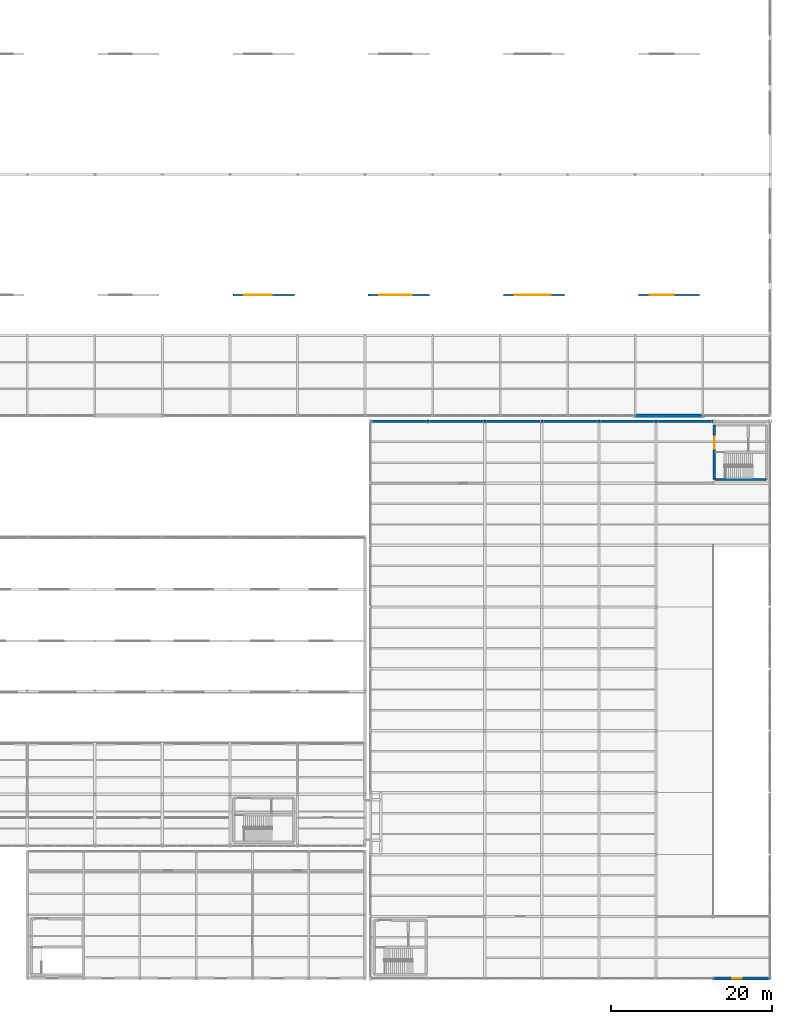
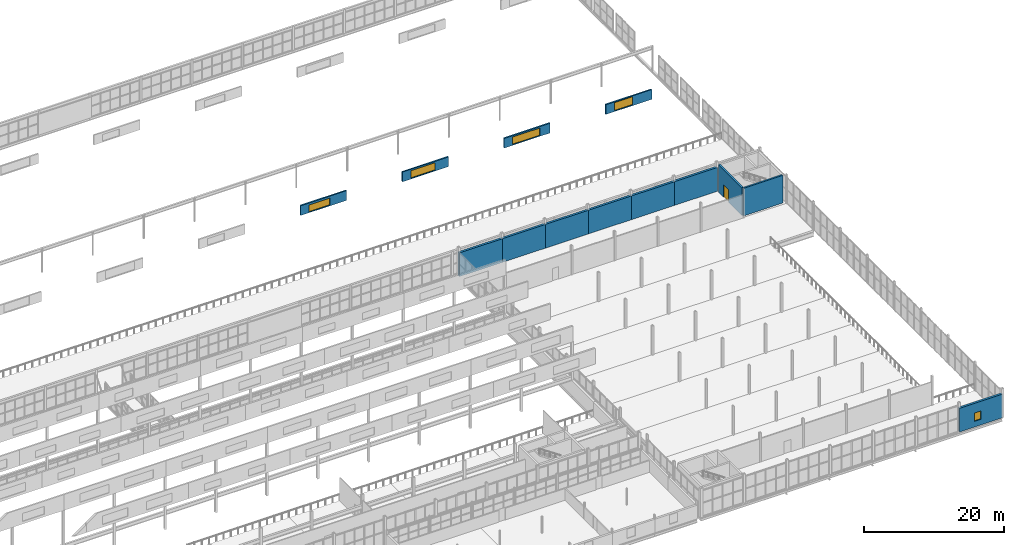
# One storey, part 207 of 218: 14 walls, 5 windows, 1 door, 6 openings.
"""IFC4 building model written with IfcOpenShell, lengths in metres."""

import ifcopenshell
import ifcopenshell.guid

model = None  # the IFC model being written
_history = None  # IfcOwnerHistory: only IFC2X3 demands one
_inside = {}  # id of a spatial element -> (the spatial element, [elements in it])
_under = {}  # id of a project, library or spatial element -> (it, [spatial elements below it])
_declared = {}  # id of a project -> (the project, [libraries it declares])
_typed = {}  # id of a type object -> (the type object, [elements of that type])
_made_of = {}  # id of a material, layer set ... -> (it, [elements and type objects made of it])


def new_model(schema):
    """Start an empty IFC model of exactly this schema.

    Asked for "IFC4X3", IfcOpenShell would pick the latest addendum, in which some entities
    have other attributes; the version numbers below select the first issue.
    IFC2X3 requires an IfcOwnerHistory on every rooted entity: one is made here for all.
    """
    global model, _history
    if schema == "IFC4X3":
        model = ifcopenshell.file(schema_version=(4, 3, 0, 0))
    else:
        model = ifcopenshell.file(schema=schema)
    _inside.clear()
    _under.clear()
    _declared.clear()
    _typed.clear()
    _made_of.clear()
    _history = None
    if model.schema == "IFC2X3":
        org = make("IfcOrganization", Name="unknown")
        user = make(
            "IfcPersonAndOrganization",
            ThePerson=make("IfcPerson", FamilyName="unknown"),
            TheOrganization=org,
        )
        app = make(
            "IfcApplication",
            ApplicationDeveloper=org,
            Version="unknown",
            ApplicationFullName="unknown",
            ApplicationIdentifier="unknown",
        )
        _history = make(
            "IfcOwnerHistory",
            OwningUser=user,
            OwningApplication=app,
            ChangeAction="ADDED",
            CreationDate=0,
        )
    return model


def make(cls, **values):
    """One entity of the class cls with the attributes given. An attribute that is None is left unset."""
    return model.create_entity(
        cls, **{name: value for name, value in values.items() if value is not None}
    )


def rooted(cls, **values):
    """An entity with a GlobalId (a new one), such as an element, a storey or a relation."""
    return make(cls, GlobalId=ifcopenshell.guid.new(), OwnerHistory=_history, **values)


def si_unit(unit_type, name, prefix=None):
    """IfcSIUnit, for example si_unit("LENGTHUNIT", "METRE", prefix="MILLI")."""
    return make("IfcSIUnit", UnitType=unit_type, Prefix=prefix, Name=name)


def assignment(units):
    """IfcUnitAssignment: the units of a project."""
    return None if units is None else make("IfcUnitAssignment", Units=units)


def point(xyz):
    """IfcCartesianPoint."""
    return None if xyz is None else make("IfcCartesianPoint", Coordinates=xyz)


def direction(xyz):
    """IfcDirection."""
    return None if xyz is None else make("IfcDirection", DirectionRatios=xyz)


def frame(location, z_axis=None, x_axis=None):
    """IfcAxis2Placement3D, a coordinate frame: its origin and axes. An axis left out is left unset."""
    return make(
        "IfcAxis2Placement3D",
        Location=point(location),
        Axis=direction(z_axis),
        RefDirection=direction(x_axis),
    )


def frame_2d(location, x_axis=None):
    """IfcAxis2Placement2D, a coordinate frame in the plane: its origin and x axis."""
    return make(
        "IfcAxis2Placement2D", Location=point(location), RefDirection=direction(x_axis)
    )


def origin():
    """The frame at (0, 0, 0) with its axes left unset."""
    return frame((0.0, 0.0, 0.0))


def place(relative_to, where):
    """IfcLocalPlacement: puts the frame where relative to a parent placement (None: the world)."""
    return make(
        "IfcLocalPlacement", PlacementRelTo=relative_to, RelativePlacement=where
    )


def context(
    kind, dimensions, precision=None, world=None, true_north=None, identifier=None
):
    """IfcGeometricRepresentationContext, for example the 3D "Model" context."""
    return make(
        "IfcGeometricRepresentationContext",
        ContextIdentifier=identifier,
        ContextType=kind,
        CoordinateSpaceDimension=dimensions,
        Precision=precision,
        WorldCoordinateSystem=world,
        TrueNorth=true_north,
    )


def subcontext(parent, identifier, kind, view, scale=None):
    """IfcGeometricRepresentationSubContext, for example "Body" below "Model"."""
    return make(
        "IfcGeometricRepresentationSubContext",
        ContextIdentifier=identifier,
        ContextType=kind,
        ParentContext=parent,
        TargetScale=scale,
        TargetView=view,
    )


def project(units=None, contexts=None):
    """IfcProject with its units and contexts."""
    return rooted(
        "IfcProject",
        Name="project",
        RepresentationContexts=contexts,
        UnitsInContext=assignment(units),
    )


def spatial(cls, under=None, at=None, **own):
    """A site, building, storey or space (cls), placed at a placement, below another one or the project."""
    s = rooted(cls, ObjectPlacement=at, **own)
    if under is not None:
        _under.setdefault(under.id(), (under, []))[1].append(s)
    return s


def profile(cls, at=None, kind="AREA", **sizes):
    """A parametric profile (cls). Its sizes go by their IFC names, for example OverallWidth=200.0."""
    return make(cls, ProfileType=kind, Position=at, **sizes)


def rectangle(**sizes):
    """IfcRectangleProfileDef."""
    return profile("IfcRectangleProfileDef", **sizes)


def extrude(swept, where, along, depth):
    """IfcExtrudedAreaSolid: the profile swept, set in the frame where, extruded along a direction by depth."""
    return make(
        "IfcExtrudedAreaSolid",
        SweptArea=swept,
        Position=where,
        ExtrudedDirection=direction(along),
        Depth=depth,
    )


def shape(context_of_items, identifier, shape_type, items):
    """IfcShapeRepresentation: the items that make up one representation, for example the "Body"."""
    return make(
        "IfcShapeRepresentation",
        ContextOfItems=context_of_items,
        RepresentationIdentifier=identifier,
        RepresentationType=shape_type,
        Items=items,
    )


def material(Name=None, Category=None):
    """IfcMaterial."""
    return make("IfcMaterial", Name=Name, Category=Category)


def layer(
    of_material, thickness, ventilated=None, Name=None, Category=None, Priority=None
):
    """IfcMaterialLayer: one layer of a wall or slab, of a material (None: an air gap)."""
    return make(
        "IfcMaterialLayer",
        Material=of_material,
        LayerThickness=thickness,
        IsVentilated=ventilated,
        Name=Name,
        Category=Category,
        Priority=Priority,
    )


def layer_set(layers, Name=None):
    """IfcMaterialLayerSet."""
    return make("IfcMaterialLayerSet", MaterialLayers=layers, LayerSetName=Name)


def made_of(thing, what):
    """Note that an element or type object is made of a material, layer set ...; save() writes the relation."""
    if what is not None:
        _made_of.setdefault(what.id(), (what, []))[1].append(thing)
    return thing


def type_object(cls, material=None, **own):
    """A type object (cls), such as IfcWallType, which elements share."""
    return made_of(rooted(cls, **own), material)


def element(
    cls,
    number,
    at=None,
    inside=None,
    cuts=None,
    type_object=None,
    material=None,
    context=None,
    identifier="Body",
    shape_type=None,
    held_by="IfcProductDefinitionShape",
    body=None,
    shapes=None,
    **own,
):
    """One element of the class cls, such as IfcWall. Its Tag is "e" and its number.

    at: its placement. inside: the storey or other place that contains it. cuts: it is an
    opening in that element (IfcRelVoidsElement). A single representation is given by context,
    identifier, shape_type and body (its items); several are given by shapes. held_by: the class
    of the entity that holds the representations. save() writes the other relations.
    """
    e = rooted(cls, Tag="e%d" % number, ObjectPlacement=at, **own)
    if body is not None:
        shapes = [shape(context, identifier, shape_type, body)]
    if shapes is not None:
        e.Representation = make(held_by, Representations=shapes)
    if inside is not None:
        _inside.setdefault(inside.id(), (inside, []))[1].append(e)
    if cuts is not None:
        rooted(
            "IfcRelVoidsElement", RelatingBuildingElement=cuts, RelatedOpeningElement=e
        )
    if type_object is not None:
        _typed.setdefault(type_object.id(), (type_object, []))[1].append(e)
    return made_of(e, material)


def fill(opening, filler):
    """IfcRelFillsElement: the door or window that sits in an opening."""
    return rooted(
        "IfcRelFillsElement",
        RelatingOpeningElement=opening,
        RelatedBuildingElement=filler,
    )


def aggregate(whole, parts):
    """IfcRelAggregates: a whole, such as a stair, and the parts it consists of."""
    return rooted("IfcRelAggregates", RelatingObject=whole, RelatedObjects=parts)


def save(model, path):
    """Write the relations noted so far, then the file.

    IfcRelAggregates (storeys below a building ...), IfcRelContainedInSpatialStructure (elements
    in a storey), IfcRelDefinesByType, IfcRelAssociatesMaterial and IfcRelDeclares: one each for
    every whole, place, type object, material and project.
    """
    for whole, parts in _under.values():
        aggregate(whole, parts)
    for where, things in _inside.values():
        rooted(
            "IfcRelContainedInSpatialStructure",
            RelatedElements=things,
            RelatingStructure=where,
        )
    for kind, things in _typed.values():
        rooted("IfcRelDefinesByType", RelatedObjects=things, RelatingType=kind)
    for what, things in _made_of.values():
        rooted("IfcRelAssociatesMaterial", RelatedObjects=things, RelatingMaterial=what)
    for by, libraries in _declared.values():
        rooted("IfcRelDeclares", RelatingContext=by, RelatedDefinitions=libraries)
    model.write(path)


model = new_model("IFC4")

# Units and contexts
model_context = context("Model", 3, precision=1e-05, world=origin(), true_north=direction((0.0, 1.0)))
body_context = subcontext(model_context, "Body", "Model", "MODEL_VIEW")
ifc_project = project(units=[si_unit("LENGTHUNIT", "METRE"), si_unit("AREAUNIT", "SQUARE_METRE"), si_unit("VOLUMEUNIT", "CUBIC_METRE"), si_unit("PLANEANGLEUNIT", "RADIAN"), si_unit("MASSUNIT", "GRAM", prefix="KILO")], contexts=[model_context])

# Site, building, storey
site_placement = place(None, origin())
site = spatial("IfcSite", under=ifc_project, at=site_placement, CompositionType="ELEMENT")
building_placement = place(site_placement, origin())
building = spatial("IfcBuilding", under=site, at=building_placement, Name="Kazenagashi Tramway Depot", CompositionType="ELEMENT")
storey_placement = place(building_placement, frame((0.0, 0.0, 6.0)))
storey = spatial("IfcBuildingStorey", under=building, at=storey_placement, Name="L02", CompositionType="ELEMENT", Elevation=6.0)

# Wall
ifc_material_1 = material(Name="Clay Brick Masonry JIS R 1250 Class 1 (20 MPa)", Category="masonry")
ifc_layer_1 = layer(ifc_material_1, 0.43)
ifc_layer_set_1 = layer_set([ifc_layer_1], Name="Clay Brick Masonry JIS R 1250 Class 1 (20 MPa)")
wall_type_1 = type_object("IfcWallType", Name="W-BK1", PredefinedType="SOLIDWALL", material=ifc_layer_set_1)
wall_1_placement = place(storey_placement, frame((179.0, 70.0, 0.0), z_axis=(0.0, 0.0, 1.0), x_axis=(1.0, 0.0, 0.0)))
element("IfcWall", 1, at=wall_1_placement, inside=storey, type_object=wall_type_1, Name="Exterior Brick Wall W-BK1 EWALL-0027", PredefinedType="SOLIDWALL", context=body_context, shape_type="SweptSolid", body=[
    extrude(rectangle(XDim=8.8, YDim=0.43, at=frame_2d((4.4, 0.0))), origin(), (0.0, 0.0, 1.0), 3.6),
])

# Wall, opening, window
ifc_layer_2 = layer(ifc_material_1, 0.36)
ifc_layer_set_2 = layer_set([ifc_layer_2], Name="Clay Brick Masonry JIS R 1250 Class 1 (20 MPa)")
wall_type_2 = type_object("IfcWallType", Name="W-BK2", PredefinedType="SOLIDWALL", material=ifc_layer_set_2)
wall_2_placement = place(storey_placement, frame((188.9, 0.0, 0.0), z_axis=(0.0, 0.0, 1.0), x_axis=(1.0, 0.0, 0.0)))
wall_2 = element("IfcWall", 2, at=wall_2_placement, inside=storey, type_object=wall_type_2, Name="Exterior Brick Wall W-BK2 EWALL-0006", PredefinedType="SOLIDWALL", context=body_context, shape_type="SweptSolid", body=[
    extrude(rectangle(XDim=7.1, YDim=0.36, at=frame_2d((3.55, 0.0))), origin(), (0.0, 0.0, 1.0), 4.14),
])
opening_1_placement = place(wall_2_placement, frame((2.4, 0.0, 1.0)))
opening_1 = element("IfcOpeningElement", 3, at=opening_1_placement, cuts=wall_2, Name="Opening WN-33", PredefinedType="OPENING", context=body_context, shape_type="SweptSolid", body=[
    extrude(rectangle(XDim=1.15, YDim=1.45, at=frame_2d((0.575, 0.725))), frame((0.0, 0.19, 0.0), z_axis=(0.0, -1.0, 0.0), x_axis=(1.0, 0.0, 0.0)), (0.0, 0.0, 1.0), 0.38),
])
ifc_material_2 = material(Name="Anodised Aluminium and Tempered Low-E Glass", Category="aluminium")
window_type_1 = type_object("IfcWindowType", Name="WN-33", PartitioningType="SINGLE_PANEL", PredefinedType="WINDOW", material=ifc_material_2)
window_1_placement = place(opening_1_placement, origin())
window_1 = element("IfcWindow", 4, at=window_1_placement, inside=storey, type_object=window_type_1, Name="Window WN-33 WIN-0001", OverallHeight=1.45, OverallWidth=1.15, PartitioningType="SINGLE_PANEL", PredefinedType="WINDOW", context=body_context, shape_type="SweptSolid", body=[
    extrude(rectangle(XDim=1.15, YDim=1.45, at=frame_2d((0.575, 0.725))), frame((0.0, 0.03, 0.0), z_axis=(0.0, -1.0, 0.0), x_axis=(1.0, 0.0, 0.0)), (0.0, 0.0, 1.0), 0.06),
])
fill(opening_1, window_1)

# Walls
for number, where, z_axis, x_axis, name in (
    (5, (146.3, 69.3, 0.0), (0.0, 0.0, 1.0), (1.0, 0.0, 0.0), "Exterior Brick Wall W-BK2 EWALL-0325"),
    (6, (153.4, 69.3, 0.0), (0.0, 0.0, 1.0), (1.0, 0.0, 0.0), "Exterior Brick Wall W-BK2 EWALL-0328"),
    (7, (160.5, 69.3, 0.0), (0.0, 0.0, 1.0), (1.0, 0.0, 0.0), "Exterior Brick Wall W-BK2 EWALL-0331"),
    (8, (167.6, 69.3, 0.0), (0.0, 0.0, 1.0), (1.0, 0.0, 0.0), "Exterior Brick Wall W-BK2 EWALL-0334"),
    (9, (174.7, 69.3, 0.0), (0.0, 0.0, 1.0), (1.0, 0.0, 0.0), "Exterior Brick Wall W-BK2 EWALL-0337"),
    (10, (181.8, 69.3, 0.0), (0.0, 0.0, 1.0), (1.0, 0.0, 0.0), "Exterior Brick Wall W-BK2 EWALL-0340"),
):
    element("IfcWall", number, at=place(storey_placement, frame(where, z_axis=z_axis, x_axis=x_axis)), inside=storey, type_object=wall_type_2, Name=name, PredefinedType="SOLIDWALL", context=body_context, shape_type="SweptSolid", body=[
        extrude(rectangle(XDim=7.1, YDim=0.36, at=frame_2d((3.55, 0.0))), origin(), (0.0, 0.0, 1.0), 4.14),
    ])

# Wall, opening, window
ifc_material_3 = material(Name="Galvanised Steel Sheet Insulated Monitor Wall", Category="steel")
ifc_layer_3 = layer(ifc_material_3, 0.24)
ifc_layer_set_3 = layer_set([ifc_layer_3], Name="Galvanised Steel Sheet Insulated Monitor Wall")
wall_type_3 = type_object("IfcWallType", Name="W-MN1", PredefinedType="SOLIDWALL", material=ifc_layer_set_3)
wall_3_placement = place(storey_placement, frame((129.2, 85.0, 7.1), z_axis=(0.0, 0.0, 1.0), x_axis=(1.0, 0.0, 0.0)))
wall_3 = element("IfcWall", 11, at=wall_3_placement, inside=storey, type_object=wall_type_3, Name="Exterior Brick Wall W-MN1 EWALL-0055", PredefinedType="SOLIDWALL", context=body_context, shape_type="SweptSolid", body=[
    extrude(rectangle(XDim=7.6, YDim=0.24, at=frame_2d((3.8, 0.0))), origin(), (0.0, 0.0, 1.0), 1.7),
])
opening_2_placement = place(wall_3_placement, frame((1.4, 0.0, 0.15)))
opening_2 = element("IfcOpeningElement", 12, at=opening_2_placement, cuts=wall_3, Name="Opening SK-06", PredefinedType="OPENING", context=body_context, shape_type="SweptSolid", body=[
    extrude(rectangle(XDim=3.4, YDim=1.2, at=frame_2d((1.7, 0.6))), frame((0.0, 0.13, 0.0), z_axis=(0.0, -1.0, 0.0), x_axis=(1.0, 0.0, 0.0)), (0.0, 0.0, 1.0), 0.26),
])
ifc_material_4 = material(Name="Wired Fire-Rated Glass and Aluminium Frame", Category="aluminium")
window_type_2 = type_object("IfcWindowType", Name="SK-06", PartitioningType="SINGLE_PANEL", PredefinedType="SKYLIGHT", material=ifc_material_4)
window_2_placement = place(opening_2_placement, origin())
window_2 = element("IfcWindow", 13, at=window_2_placement, inside=storey, type_object=window_type_2, Name="Window SK-06 WIN-0032", OverallHeight=1.2, OverallWidth=3.4, PartitioningType="SINGLE_PANEL", PredefinedType="SKYLIGHT", context=body_context, shape_type="SweptSolid", body=[
    extrude(rectangle(XDim=3.4, YDim=1.2, at=frame_2d((1.7, 0.6))), frame((0.0, 0.03, 0.0), z_axis=(0.0, -1.0, 0.0), x_axis=(1.0, 0.0, 0.0)), (0.0, 0.0, 1.0), 0.06),
])
fill(opening_2, window_2)

wall_4_placement = place(storey_placement, frame((146.0, 85.0, 7.1), z_axis=(0.0, 0.0, 1.0), x_axis=(1.0, 0.0, 0.0)))
wall_4 = element("IfcWall", 14, at=wall_4_placement, inside=storey, type_object=wall_type_3, Name="Exterior Brick Wall W-MN1 EWALL-0056", PredefinedType="SOLIDWALL", context=body_context, shape_type="SweptSolid", body=[
    extrude(rectangle(XDim=7.6, YDim=0.24, at=frame_2d((3.8, 0.0))), origin(), (0.0, 0.0, 1.0), 1.7),
])
opening_3_placement = place(wall_4_placement, frame((1.4, 0.0, 0.15)))
opening_3 = element("IfcOpeningElement", 15, at=opening_3_placement, cuts=wall_4, Name="Opening SK-07", PredefinedType="OPENING", context=body_context, shape_type="SweptSolid", body=[
    extrude(rectangle(XDim=4.0, YDim=1.3, at=frame_2d((2.0, 0.65))), frame((0.0, 0.13, 0.0), z_axis=(0.0, -1.0, 0.0), x_axis=(1.0, 0.0, 0.0)), (0.0, 0.0, 1.0), 0.26),
])
window_type_3 = type_object("IfcWindowType", Name="SK-07", PartitioningType="SINGLE_PANEL", PredefinedType="SKYLIGHT", material=ifc_material_4)
window_3_placement = place(opening_3_placement, origin())
window_3 = element("IfcWindow", 16, at=window_3_placement, inside=storey, type_object=window_type_3, Name="Window SK-07 WIN-0033", OverallHeight=1.3, OverallWidth=4.0, PartitioningType="SINGLE_PANEL", PredefinedType="SKYLIGHT", context=body_context, shape_type="SweptSolid", body=[
    extrude(rectangle(XDim=4.0, YDim=1.3, at=frame_2d((2.0, 0.65))), frame((0.0, 0.03, 0.0), z_axis=(0.0, -1.0, 0.0), x_axis=(1.0, 0.0, 0.0)), (0.0, 0.0, 1.0), 0.06),
])
fill(opening_3, window_3)

wall_5_placement = place(storey_placement, frame((162.8, 85.0, 7.1), z_axis=(0.0, 0.0, 1.0), x_axis=(1.0, 0.0, 0.0)))
wall_5 = element("IfcWall", 17, at=wall_5_placement, inside=storey, type_object=wall_type_3, Name="Exterior Brick Wall W-MN1 EWALL-0057", PredefinedType="SOLIDWALL", context=body_context, shape_type="SweptSolid", body=[
    extrude(rectangle(XDim=7.6, YDim=0.24, at=frame_2d((3.8, 0.0))), origin(), (0.0, 0.0, 1.0), 1.7),
])
opening_4_placement = place(wall_5_placement, frame((1.4, 0.0, 0.15)))
opening_4 = element("IfcOpeningElement", 18, at=opening_4_placement, cuts=wall_5, Name="Opening SK-08", PredefinedType="OPENING", context=body_context, shape_type="SweptSolid", body=[
    extrude(rectangle(XDim=4.5, YDim=1.3, at=frame_2d((2.25, 0.65))), frame((0.0, 0.13, 0.0), z_axis=(0.0, -1.0, 0.0), x_axis=(1.0, 0.0, 0.0)), (0.0, 0.0, 1.0), 0.26),
])
window_type_4 = type_object("IfcWindowType", Name="SK-08", PartitioningType="SINGLE_PANEL", PredefinedType="SKYLIGHT", material=ifc_material_4)
window_4_placement = place(opening_4_placement, origin())
window_4 = element("IfcWindow", 19, at=window_4_placement, inside=storey, type_object=window_type_4, Name="Window SK-08 WIN-0034", OverallHeight=1.3, OverallWidth=4.5, PartitioningType="SINGLE_PANEL", PredefinedType="SKYLIGHT", context=body_context, shape_type="SweptSolid", body=[
    extrude(rectangle(XDim=4.5, YDim=1.3, at=frame_2d((2.25, 0.65))), frame((0.0, 0.03, 0.0), z_axis=(0.0, -1.0, 0.0), x_axis=(1.0, 0.0, 0.0)), (0.0, 0.0, 1.0), 0.06),
])
fill(opening_4, window_4)

wall_6_placement = place(storey_placement, frame((179.6, 85.0, 7.1), z_axis=(0.0, 0.0, 1.0), x_axis=(1.0, 0.0, 0.0)))
wall_6 = element("IfcWall", 20, at=wall_6_placement, inside=storey, type_object=wall_type_3, Name="Exterior Brick Wall W-MN1 EWALL-0058", PredefinedType="SOLIDWALL", context=body_context, shape_type="SweptSolid", body=[
    extrude(rectangle(XDim=7.6, YDim=0.24, at=frame_2d((3.8, 0.0))), origin(), (0.0, 0.0, 1.0), 1.7),
])
opening_5_placement = place(wall_6_placement, frame((1.4, 0.0, 0.15)))
opening_5 = element("IfcOpeningElement", 21, at=opening_5_placement, cuts=wall_6, Name="Opening SK-01", PredefinedType="OPENING", context=body_context, shape_type="SweptSolid", body=[
    extrude(rectangle(XDim=3.0, YDim=1.4, at=frame_2d((1.5, 0.7))), frame((0.0, 0.13, 0.0), z_axis=(0.0, -1.0, 0.0), x_axis=(1.0, 0.0, 0.0)), (0.0, 0.0, 1.0), 0.26),
])
window_type_5 = type_object("IfcWindowType", Name="SK-01", PartitioningType="SINGLE_PANEL", PredefinedType="SKYLIGHT", material=ifc_material_4)
window_5_placement = place(opening_5_placement, origin())
window_5 = element("IfcWindow", 22, at=window_5_placement, inside=storey, type_object=window_type_5, Name="Window SK-01 WIN-0035", OverallHeight=1.4, OverallWidth=3.0, PartitioningType="SINGLE_PANEL", PredefinedType="SKYLIGHT", context=body_context, shape_type="SweptSolid", body=[
    extrude(rectangle(XDim=3.0, YDim=1.4, at=frame_2d((1.5, 0.7))), frame((0.0, 0.03, 0.0), z_axis=(0.0, -1.0, 0.0), x_axis=(1.0, 0.0, 0.0)), (0.0, 0.0, 1.0), 0.06),
])
fill(opening_5, window_5)

# Wall
ifc_material_5 = material(Name="Concrete Fc36", Category="concrete")
ifc_layer_4 = layer(ifc_material_5, 0.3)
ifc_layer_set_4 = layer_set([ifc_layer_4], Name="Concrete Fc36")
wall_type_4 = type_object("IfcWallType", Name="W-RC1", PredefinedType="SHEAR", material=ifc_layer_set_4)
wall_7_placement = place(storey_placement, frame((189.06, 62.06, 0.0), z_axis=(0.0, 0.0, 1.0), x_axis=(1.0, 0.0, 0.0)))
element("IfcWall", 23, at=wall_7_placement, inside=storey, type_object=wall_type_4, Name="Core Shear Wall W-RC1 IWALL-0205", PredefinedType="SHEAR", context=body_context, shape_type="SweptSolid", body=[
    extrude(rectangle(XDim=6.48, YDim=0.3, at=frame_2d((3.24, 0.0))), origin(), (0.0, 0.0, 1.0), 4.82),
])

# Wall, opening, door
wall_8_placement = place(storey_placement, frame((189.06, 62.06, 0.0), z_axis=(0.0, 0.0, 1.0), x_axis=(0.0, 1.0, 0.0)))
wall_8 = element("IfcWall", 24, at=wall_8_placement, inside=storey, type_object=wall_type_4, Name="Core Shear Wall W-RC1 IWALL-0207", PredefinedType="SHEAR", context=body_context, shape_type="SweptSolid", body=[
    extrude(rectangle(XDim=6.78, YDim=0.3, at=frame_2d((3.39, 0.0))), origin(), (0.0, 0.0, 1.0), 4.82),
])
opening_6_placement = place(wall_8_placement, frame((3.84, 0.0, 0.0)))
opening_6 = element("IfcOpeningElement", 25, at=opening_6_placement, cuts=wall_8, Name="Opening D-119", PredefinedType="OPENING", context=body_context, shape_type="SweptSolid", body=[
    extrude(rectangle(XDim=1.5, YDim=2.2, at=frame_2d((0.75, 1.1))), frame((0.0, 0.16, 0.0), z_axis=(0.0, -1.0, 0.0), x_axis=(1.0, 0.0, 0.0)), (0.0, 0.0, 1.0), 0.32),
])
ifc_material_6 = material(Name="Galvanised Fire-Rated Steel Door", Category="steel")
door_type = type_object("IfcDoorType", Name="DT-05", OperationType="NOTDEFINED", PredefinedType="DOOR", material=ifc_material_6)
door_placement = place(opening_6_placement, origin())
door = element("IfcDoor", 26, at=door_placement, inside=storey, type_object=door_type, Name="Interior Door D-119", OperationType="DOUBLE_DOOR_SINGLE_SWING", OverallHeight=2.2, OverallWidth=1.5, PredefinedType="DOOR", context=body_context, shape_type="SweptSolid", body=[
    extrude(rectangle(XDim=1.5, YDim=2.2, at=frame_2d((0.75, 1.1))), frame((0.0, 0.025, 0.0), z_axis=(0.0, -1.0, 0.0), x_axis=(1.0, 0.0, 0.0)), (0.0, 0.0, 1.0), 0.05),
])
fill(opening_6, door)

save(model, "model.ifc")
